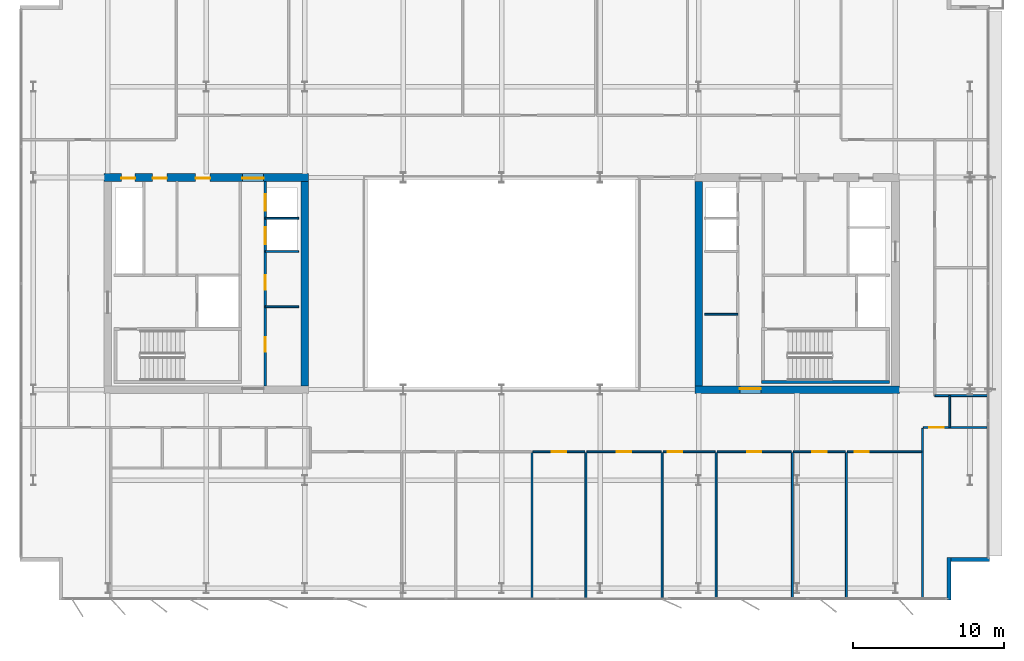
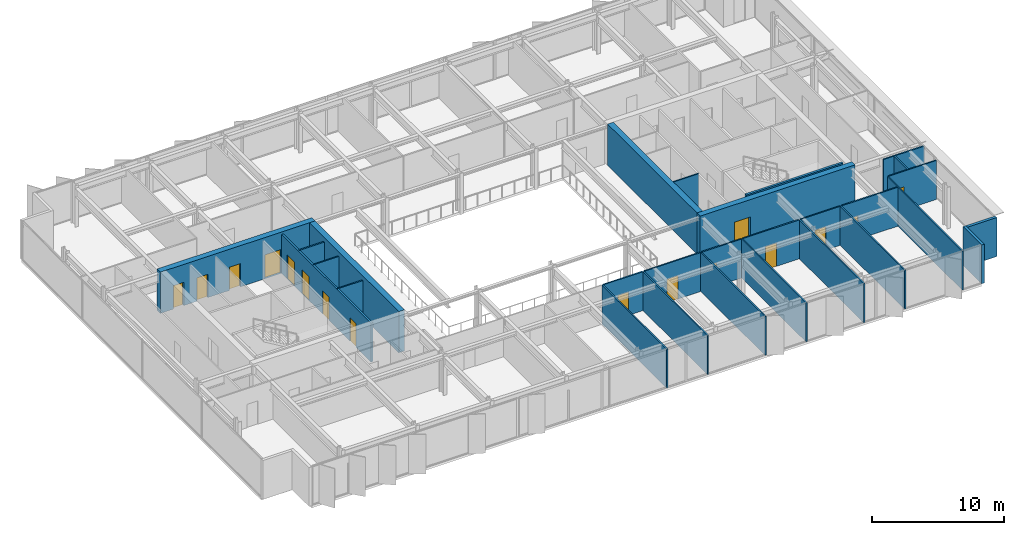
# One storey, part 13 of 19: 28 walls, 16 doors, 16 openings.
"""IFC4 building model written with IfcOpenShell, lengths in metres."""

from ifc_helpers import new_model, si_unit, direction, frame, frame_2d, origin, place, context, subcontext, project, spatial, rectangle, extrude, material, layer, layer_set, type_object, element, fill, save


model = new_model("IFC4")

# Units and contexts
model_context = context("Model", 3, precision=1e-05, world=origin(), true_north=direction((0.0, 1.0)))
body_context = subcontext(model_context, "Body", "Model", "MODEL_VIEW")
ifc_project = project(units=[si_unit("LENGTHUNIT", "METRE"), si_unit("AREAUNIT", "SQUARE_METRE"), si_unit("VOLUMEUNIT", "CUBIC_METRE"), si_unit("PLANEANGLEUNIT", "RADIAN"), si_unit("MASSUNIT", "GRAM", prefix="KILO")], contexts=[model_context])

# Site, building, storey
site_placement = place(None, origin())
site = spatial("IfcSite", under=ifc_project, at=site_placement, CompositionType="ELEMENT")
building_placement = place(site_placement, origin())
building = spatial("IfcBuilding", under=site, at=building_placement, Name="Putna Gate Headquarters", CompositionType="ELEMENT")
storey_placement = place(building_placement, frame((0.0, 0.0, 267.0)))
storey = spatial("IfcBuildingStorey", under=building, at=storey_placement, Name="L67", CompositionType="ELEMENT", Elevation=267.0)

# Wall, openings, doors
ifc_material_1 = material(Name="Concrete C50/60", Category="concrete")
ifc_layer_1 = layer(ifc_material_1, 0.5)
ifc_layer_set_1 = layer_set([ifc_layer_1], Name="Concrete C50/60")
wall_type_1 = type_object("IfcWallType", Name="WALL-CORE-500", PredefinedType="SHEAR", material=ifc_layer_set_1)
wall_1_placement = place(storey_placement, frame((12.75, 33.0, 0.0), z_axis=(0.0, 0.0, 1.0), x_axis=(1.0, 0.0, 0.0)))
wall_1 = element("IfcWall", 1, at=wall_1_placement, inside=storey, type_object=wall_type_1, Name="L67 WC Split Core Shear Wall N", PredefinedType="SHEAR", context=body_context, shape_type="SweptSolid", body=[
    extrude(rectangle(XDim=13.5, YDim=0.5, at=frame_2d((6.75, 0.0))), origin(), (0.0, 0.0, 1.0), 3.800048828125),
])
opening_1_placement = place(wall_1_placement, frame((1.14990234375, 0.0, 0.0)))
opening_1 = element("IfcOpeningElement", 2, at=opening_1_placement, cuts=wall_1, Name="Opening RD-90", PredefinedType="OPENING", context=body_context, shape_type="SweptSolid", body=[
    extrude(rectangle(XDim=0.89990234375, YDim=2.14990234375, at=frame_2d((0.449951171875, 1.074951171875))), frame((0.0, 0.260009765625, 0.0), z_axis=(0.0, -1.0, 0.0), x_axis=(1.0, 0.0, 0.0)), (0.0, 0.0, 1.0), 0.52001953125),
])
opening_2_placement = place(wall_1_placement, frame((3.199951171875, 0.0, 0.0)))
opening_2 = element("IfcOpeningElement", 3, at=opening_2_placement, cuts=wall_1, Name="Opening IDS-95", PredefinedType="OPENING", context=body_context, shape_type="SweptSolid", body=[
    extrude(rectangle(XDim=0.949951171875, YDim=2.14990234375, at=frame_2d((0.47509765625, 1.074951171875))), frame((0.0, 0.260009765625, 0.0), z_axis=(0.0, -1.0, 0.0), x_axis=(1.0, 0.0, 0.0)), (0.0, 0.0, 1.0), 0.52001953125),
])
opening_3_placement = place(wall_1_placement, frame((6.050048828125, 0.0, 0.0)))
opening_3 = element("IfcOpeningElement", 4, at=opening_3_placement, cuts=wall_1, Name="Opening IDS-95", PredefinedType="OPENING", context=body_context, shape_type="SweptSolid", body=[
    extrude(rectangle(XDim=0.949951171875, YDim=2.14990234375, at=frame_2d((0.47509765625, 1.074951171875))), frame((0.0, 0.260009765625, 0.0), z_axis=(0.0, -1.0, 0.0), x_axis=(1.0, 0.0, 0.0)), (0.0, 0.0, 1.0), 0.52001953125),
])
opening_4_placement = place(wall_1_placement, frame((9.1298828125, 0.0, 0.0)))
opening_4 = element("IfcOpeningElement", 5, at=opening_4_placement, cuts=wall_1, Name="Opening FDD-140", PredefinedType="OPENING", context=body_context, shape_type="SweptSolid", body=[
    extrude(rectangle(XDim=1.39990234375, YDim=2.199951171875, at=frame_2d((0.699951171875, 1.10009765625))), frame((0.0, 0.260009765625, 0.0), z_axis=(0.0, -1.0, 0.0), x_axis=(1.0, 0.0, 0.0)), (0.0, 0.0, 1.0), 0.52001953125),
])
ifc_material_2 = material(Name="Double steel fire door", Category="steel")
door_type_1 = type_object("IfcDoorType", Name="DOOR-FIRE-DBL-1400", OperationType="DOUBLE_DOOR_SINGLE_SWING", PredefinedType="DOOR", material=ifc_material_2)
door_1_placement = place(opening_4_placement, origin())
door_1 = element("IfcDoor", 6, at=door_1_placement, inside=storey, type_object=door_type_1, Name="L67 West Lift Lobby North Door", OperationType="DOUBLE_DOOR_SINGLE_SWING", OverallHeight=2.199951171875, OverallWidth=1.39990234375, PredefinedType="DOOR", context=body_context, shape_type="SweptSolid", body=[
    extrude(rectangle(XDim=1.39990234375, YDim=2.199951171875, at=frame_2d((0.699951171875, 1.10009765625))), frame((0.0, -0.02490234375, 0.0), z_axis=(0.0, -1.0, 0.0), x_axis=(1.0, 0.0, 0.0)), (0.0, 0.0, 1.0), 0.050048828125),
])
fill(opening_4, door_1)
ifc_material_3 = material(Name="Fire-rated service timber door", Category="wood")
door_type_2 = type_object("IfcDoorType", Name="DOOR-INT-950", OperationType="NOTDEFINED", PredefinedType="DOOR", material=ifc_material_3)
door_2_placement = place(opening_2_placement, origin())
door_2 = element("IfcDoor", 7, at=door_2_placement, inside=storey, type_object=door_type_2, Name="L67 Archive Store Door", OperationType="SINGLE_SWING_LEFT", OverallHeight=2.14990234375, OverallWidth=0.949951171875, PredefinedType="DOOR", context=body_context, shape_type="SweptSolid", body=[
    extrude(rectangle(XDim=0.949951171875, YDim=2.14990234375, at=frame_2d((0.47509765625, 1.074951171875))), frame((0.0, -0.02490234375, 0.0), z_axis=(0.0, -1.0, 0.0), x_axis=(1.0, 0.0, 0.0)), (0.0, 0.0, 1.0), 0.050048828125),
])
fill(opening_2, door_2)
door_3_placement = place(opening_3_placement, origin())
door_3 = element("IfcDoor", 8, at=door_3_placement, inside=storey, type_object=door_type_2, Name="L67 Switchgear Plant Door", OperationType="SINGLE_SWING_RIGHT", OverallHeight=2.14990234375, OverallWidth=0.949951171875, PredefinedType="DOOR", context=body_context, shape_type="SweptSolid", body=[
    extrude(rectangle(XDim=0.949951171875, YDim=2.14990234375, at=frame_2d((0.47509765625, 1.074951171875))), frame((0.0, -0.02490234375, 0.0), z_axis=(0.0, -1.0, 0.0), x_axis=(1.0, 0.0, 0.0)), (0.0, 0.0, 1.0), 0.050048828125),
])
fill(opening_3, door_3)
ifc_material_4 = material(Name="Steel riser access fire door", Category="steel")
door_type_3 = type_object("IfcDoorType", Name="DOOR-RISER-900", OperationType="NOTDEFINED", PredefinedType="DOOR", material=ifc_material_4)
door_4_placement = place(opening_1_placement, origin())
door_4 = element("IfcDoor", 9, at=door_4_placement, inside=storey, type_object=door_type_3, Name="L67 West Riser Access Door", OperationType="SINGLE_SWING_RIGHT", OverallHeight=2.14990234375, OverallWidth=0.89990234375, PredefinedType="DOOR", context=body_context, shape_type="SweptSolid", body=[
    extrude(rectangle(XDim=0.89990234375, YDim=2.14990234375, at=frame_2d((0.449951171875, 1.074951171875))), frame((0.0, -0.02490234375, 0.0), z_axis=(0.0, -1.0, 0.0), x_axis=(1.0, 0.0, 0.0)), (0.0, 0.0, 1.0), 0.050048828125),
])
fill(opening_1, door_4)

# Wall
wall_2_placement = place(storey_placement, frame((26.0, 19.25, 0.0), z_axis=(0.0, 0.0, 1.0), x_axis=(0.0, 1.0, 0.0)))
element("IfcWall", 10, at=wall_2_placement, inside=storey, type_object=wall_type_1, Name="L67 WC Split Core Shear Wall E", PredefinedType="SHEAR", context=body_context, shape_type="SweptSolid", body=[
    extrude(rectangle(XDim=13.5, YDim=0.5, at=frame_2d((6.75, 0.0))), origin(), (0.0, 0.0, 1.0), 3.800048828125),
])

# Wall, opening, door
wall_3_placement = place(storey_placement, frame((51.75, 19.0, 0.0), z_axis=(0.0, 0.0, 1.0), x_axis=(1.0, 0.0, 0.0)))
wall_3 = element("IfcWall", 11, at=wall_3_placement, inside=storey, type_object=wall_type_1, Name="L67 EC Split Core Shear Wall S", PredefinedType="SHEAR", context=body_context, shape_type="SweptSolid", body=[
    extrude(rectangle(XDim=13.5, YDim=0.5, at=frame_2d((6.75, 0.0))), origin(), (0.0, 0.0, 1.0), 3.800048828125),
])
opening_5_placement = place(wall_3_placement, frame((2.969970703125, 0.0, 0.0)))
opening_5 = element("IfcOpeningElement", 12, at=opening_5_placement, cuts=wall_3, Name="Opening FDD-140", PredefinedType="OPENING", context=body_context, shape_type="SweptSolid", body=[
    extrude(rectangle(XDim=1.39990234375, YDim=2.199951171875, at=frame_2d((0.699951171875, 1.10009765625))), frame((0.0, 0.260009765625, 0.0), z_axis=(0.0, -1.0, 0.0), x_axis=(1.0, 0.0, 0.0)), (0.0, 0.0, 1.0), 0.52001953125),
])
door_5_placement = place(opening_5_placement, origin())
door_5 = element("IfcDoor", 13, at=door_5_placement, inside=storey, type_object=door_type_1, Name="L67 East Lift Lobby South Door", OperationType="DOUBLE_DOOR_SINGLE_SWING", OverallHeight=2.199951171875, OverallWidth=1.39990234375, PredefinedType="DOOR", context=body_context, shape_type="SweptSolid", body=[
    extrude(rectangle(XDim=1.39990234375, YDim=2.199951171875, at=frame_2d((0.699951171875, 1.10009765625))), frame((0.0, 0.0751953125, 0.0), z_axis=(0.0, -1.0, 0.0), x_axis=(1.0, 0.0, 0.0)), (0.0, 0.0, 1.0), 0.050048828125),
])
fill(opening_5, door_5)

# Walls
wall_4_placement = place(storey_placement, frame((52.0, 19.25, 0.0), z_axis=(0.0, 0.0, 1.0), x_axis=(0.0, 1.0, 0.0)))
element("IfcWall", 14, at=wall_4_placement, inside=storey, type_object=wall_type_1, Name="L67 EC Split Core Shear Wall W", PredefinedType="SHEAR", context=body_context, shape_type="SweptSolid", body=[
    extrude(rectangle(XDim=13.5, YDim=0.5, at=frame_2d((6.75, 0.0))), origin(), (0.0, 0.0, 1.0), 3.800048828125),
])
ifc_material_5 = material(Name="Precast concrete C40/50", Category="concrete")
ifc_layer_2 = layer(ifc_material_5, 0.239990234375)
ifc_layer_set_2 = layer_set([ifc_layer_2], Name="Precast concrete C40/50")
wall_type_2 = type_object("IfcWallType", Name="WALL-EXT-TERR-240", PredefinedType="STANDARD", material=ifc_layer_set_2)
wall_5_placement = place(storey_placement, frame((68.534912109375, 7.89990234375, 0.0), z_axis=(0.0, 0.0, 1.0), x_axis=(0.0, -1.0, 0.0)))
element("IfcWall", 15, at=wall_5_placement, inside=storey, type_object=wall_type_2, Name="L67 Corner Notch Return Wall SE-V", PredefinedType="STANDARD", context=body_context, shape_type="SweptSolid", body=[
    extrude(rectangle(XDim=2.7998046875, YDim=0.239990234375, at=frame_2d((1.39990234375, 0.0))), origin(), (0.0, 0.0, 1.0), 3.587890625),
])
wall_6_placement = place(storey_placement, frame((71.215087890625, 7.780029296875, 0.0), z_axis=(0.0, 0.0, 1.0), x_axis=(-1.0, 0.0, 0.0)))
element("IfcWall", 16, at=wall_6_placement, inside=storey, type_object=wall_type_2, Name="L67 Corner Notch Return Wall SE-H", PredefinedType="STANDARD", context=body_context, shape_type="SweptSolid", body=[
    extrude(rectangle(XDim=2.800048828125, YDim=0.239990234375, at=frame_2d((1.39990234375, 0.0))), origin(), (0.0, 0.0, 1.0), 3.587890625),
])
ifc_material_6 = material(Name="Acoustic gypsum board on metal stud")
ifc_layer_3 = layer(ifc_material_6, 0.1201171875)
ifc_layer_set_3 = layer_set([ifc_layer_3], Name="Acoustic gypsum board on metal stud")
wall_type_3 = type_object("IfcWallType", Name="WALL-PART-120", PredefinedType="PARTITIONING", material=ifc_layer_set_3)
for number, where, z_axis, x_axis, name in (
    (17, (40.997314453125, 5.1201171875, 0.0), (0.0, 0.0, 1.0), (0.0, 1.0, 0.0), "L67 Interior Wall PART-L67-SB-DIV-04"),
    (18, (44.56201171875, 5.1201171875, 0.0), (0.0, 0.0, 1.0), (0.0, 1.0, 0.0), "L67 Interior Wall PART-L67-SB-DIV-05"),
    (19, (49.594482421875, 5.1201171875, 0.0), (0.0, 0.0, 1.0), (0.0, 1.0, 0.0), "L67 Interior Wall PART-L67-SB-DIV-06"),
    (20, (53.1591796875, 5.1201171875, 0.0), (0.0, 0.0, 1.0), (0.0, 1.0, 0.0), "L67 Interior Wall PART-L67-SB-DIV-07"),
    (21, (58.191650390625, 5.1201171875, 0.0), (0.0, 0.0, 1.0), (0.0, 1.0, 0.0), "L67 Interior Wall PART-L67-SB-DIV-08"),
    (22, (61.75634765625, 5.1201171875, 0.0), (0.0, 0.0, 1.0), (0.0, 1.0, 0.0), "L67 Interior Wall PART-L67-SB-DIV-09"),
):
    element("IfcWall", number, at=place(storey_placement, frame(where, z_axis=z_axis, x_axis=x_axis)), inside=storey, type_object=wall_type_3, Name=name, PredefinedType="PARTITIONING", context=body_context, shape_type="SweptSolid", body=[
        extrude(rectangle(XDim=9.719970703125, YDim=0.1201171875, at=frame_2d((4.85986328125, 0.0))), origin(), (0.0, 0.0, 1.0), 3.587890625),
    ])
wall_7_placement = place(storey_placement, frame((66.788818359375, 5.1201171875, 0.0), z_axis=(0.0, 0.0, 1.0), x_axis=(0.0, 1.0, 0.0)))
element("IfcWall", 23, at=wall_7_placement, inside=storey, type_object=wall_type_3, Name="L67 Interior Wall PART-L67-SB-DIV-10", PredefinedType="PARTITIONING", context=body_context, shape_type="SweptSolid", body=[
    extrude(rectangle(XDim=11.31982421875, YDim=0.1201171875, at=frame_2d((5.659912109375, 0.0))), origin(), (0.0, 0.0, 1.0), 3.587890625),
])
ifc_material_7 = material(Name="Fire-rated shaftwall gypsum board on metal stud")
ifc_layer_4 = layer(ifc_material_7, 0.1201171875)
ifc_layer_set_4 = layer_set([ifc_layer_4], Name="Fire-rated shaftwall gypsum board on metal stud")
wall_type_4 = type_object("IfcWallType", Name="WALL-PART-120-EI120", PredefinedType="PARTITIONING", material=ifc_layer_set_4)
wall_8_placement = place(storey_placement, frame((23.39990234375, 30.31005859375, 0.0), z_axis=(0.0, 0.0, 1.0), x_axis=(1.0, 0.0, 0.0)))
element("IfcWall", 24, at=wall_8_placement, inside=storey, type_object=wall_type_4, Name="L67 Interior Wall CWINT-L67-WC-LF09-DIV", PredefinedType="PARTITIONING", context=body_context, shape_type="SweptSolid", body=[
    extrude(rectangle(XDim=2.2001953125, YDim=0.1201171875, at=frame_2d((1.10009765625, 0.0))), origin(), (0.0, 0.0, 1.0), 3.587890625),
])
ifc_material_8 = material(Name="Fire-rated gypsum board on metal stud")
ifc_layer_5 = layer(ifc_material_8, 0.1201171875)
ifc_layer_set_5 = layer_set([ifc_layer_5], Name="Fire-rated gypsum board on metal stud")
wall_type_5 = type_object("IfcWallType", Name="WALL-PART-120-RATED", PredefinedType="PARTITIONING", material=ifc_layer_set_5)
for number, where, z_axis, x_axis, name in (
    (25, (23.39990234375, 24.469970703125, 0.0), (0.0, 0.0, 1.0), (1.0, 0.0, 0.0), "L67 Interior Wall CWINT-L67-WC-REUSE-DIV"),
    (26, (23.39990234375, 28.1201171875, 0.0), (0.0, 0.0, 1.0), (1.0, 0.0, 0.0), "L67 Interior Wall CWINT-L67-WC-LF06-DIV"),
    (27, (52.39990234375, 23.969970703125, 0.0), (0.0, 0.0, 1.0), (1.0, 0.0, 0.0), "L67 Interior Wall CWINT-L67-EC-REUSE-DIV"),
):
    element("IfcWall", number, at=place(storey_placement, frame(where, z_axis=z_axis, x_axis=x_axis)), inside=storey, type_object=wall_type_5, Name=name, PredefinedType="PARTITIONING", context=body_context, shape_type="SweptSolid", body=[
        extrude(rectangle(XDim=2.2001953125, YDim=0.1201171875, at=frame_2d((1.10009765625, 0.0))), origin(), (0.0, 0.0, 1.0), 3.587890625),
    ])
wall_9_placement = place(storey_placement, frame((68.5888671875, 16.5, 0.0), z_axis=(0.0, 0.0, 1.0), x_axis=(0.0, 1.0, 0.0)))
element("IfcWall", 28, at=wall_9_placement, inside=storey, type_object=wall_type_5, Name="L67 Interior Wall PART-L67-CORRS-CAPE", PredefinedType="PARTITIONING", context=body_context, shape_type="SweptSolid", body=[
    extrude(rectangle(XDim=2.10009765625, YDim=0.1201171875, at=frame_2d((1.050048828125, 0.0))), origin(), (0.0, 0.0, 1.0), 3.587890625),
])

# Wall, opening, door
wall_10_placement = place(storey_placement, frame((41.05712890625, 14.89990234375, 0.0), z_axis=(0.0, 0.0, 1.0), x_axis=(1.0, 0.0, 0.0)))
wall_10 = element("IfcWall", 29, at=wall_10_placement, inside=storey, type_object=wall_type_5, Name="L67 Interior Wall PART-L67-SB-CW-05", PredefinedType="PARTITIONING", context=body_context, shape_type="SweptSolid", body=[
    extrude(rectangle(XDim=3.44482421875, YDim=0.1201171875, at=frame_2d((1.722412109375, 0.0))), origin(), (0.0, 0.0, 1.0), 3.587890625),
])
opening_6_placement = place(wall_10_placement, frame((1.247314453125, 0.0, 0.0)))
opening_6 = element("IfcOpeningElement", 30, at=opening_6_placement, cuts=wall_10, Name="Opening FD-95", PredefinedType="OPENING", context=body_context, shape_type="SweptSolid", body=[
    extrude(rectangle(XDim=0.949951171875, YDim=2.14990234375, at=frame_2d((0.47509765625, 1.074951171875))), frame((0.0, 0.070068359375, 0.0), z_axis=(0.0, -1.0, 0.0), x_axis=(1.0, 0.0, 0.0)), (0.0, 0.0, 1.0), 0.14013671875),
])
ifc_material_9 = material(Name="Acoustic timber fire door", Category="wood")
door_type_4 = type_object("IfcDoorType", Name="DOOR-FIRE-950", OperationType="NOTDEFINED", PredefinedType="DOOR", material=ifc_material_9)
door_6_placement = place(opening_6_placement, origin())
door_6 = element("IfcDoor", 31, at=door_6_placement, inside=storey, type_object=door_type_4, Name="L67 Cellular Office 7 Door", OperationType="SINGLE_SWING_LEFT", OverallHeight=2.14990234375, OverallWidth=0.949951171875, PredefinedType="DOOR", context=body_context, shape_type="SweptSolid", body=[
    extrude(rectangle(XDim=0.949951171875, YDim=2.14990234375, at=frame_2d((0.47509765625, 1.074951171875))), frame((0.0, 0.02490234375, 0.0), z_axis=(0.0, -1.0, 0.0), x_axis=(1.0, 0.0, 0.0)), (0.0, 0.0, 1.0), 0.050048828125),
])
fill(opening_6, door_6)

wall_11_placement = place(storey_placement, frame((44.621826171875, 14.89990234375, 0.0), z_axis=(0.0, 0.0, 1.0), x_axis=(1.0, 0.0, 0.0)))
wall_11 = element("IfcWall", 32, at=wall_11_placement, inside=storey, type_object=wall_type_5, Name="L67 Interior Wall PART-L67-SB-CW-06", PredefinedType="PARTITIONING", context=body_context, shape_type="SweptSolid", body=[
    extrude(rectangle(XDim=4.91259765625, YDim=0.1201171875, at=frame_2d((2.456298828125, 0.0))), origin(), (0.0, 0.0, 1.0), 3.587890625),
])
opening_7_placement = place(wall_11_placement, frame((1.981201171875, 0.0, 0.0)))
opening_7 = element("IfcOpeningElement", 33, at=opening_7_placement, cuts=wall_11, Name="Opening FD-95", PredefinedType="OPENING", context=body_context, shape_type="SweptSolid", body=[
    extrude(rectangle(XDim=0.949951171875, YDim=2.14990234375, at=frame_2d((0.47509765625, 1.074951171875))), frame((0.0, 0.070068359375, 0.0), z_axis=(0.0, -1.0, 0.0), x_axis=(1.0, 0.0, 0.0)), (0.0, 0.0, 1.0), 0.14013671875),
])
door_7_placement = place(opening_7_placement, origin())
door_7 = element("IfcDoor", 34, at=door_7_placement, inside=storey, type_object=door_type_4, Name="L67 Conference Meeting Room 1 Door", OperationType="SINGLE_SWING_RIGHT", OverallHeight=2.14990234375, OverallWidth=0.949951171875, PredefinedType="DOOR", context=body_context, shape_type="SweptSolid", body=[
    extrude(rectangle(XDim=0.949951171875, YDim=2.14990234375, at=frame_2d((0.47509765625, 1.074951171875))), frame((0.0, 0.02490234375, 0.0), z_axis=(0.0, -1.0, 0.0), x_axis=(1.0, 0.0, 0.0)), (0.0, 0.0, 1.0), 0.050048828125),
])
fill(opening_7, door_7)

wall_12_placement = place(storey_placement, frame((49.654296875, 14.89990234375, 0.0), z_axis=(0.0, 0.0, 1.0), x_axis=(1.0, 0.0, 0.0)))
wall_12 = element("IfcWall", 35, at=wall_12_placement, inside=storey, type_object=wall_type_5, Name="L67 Interior Wall PART-L67-SB-CW-07", PredefinedType="PARTITIONING", context=body_context, shape_type="SweptSolid", body=[
    extrude(rectangle(XDim=3.44482421875, YDim=0.1201171875, at=frame_2d((1.722412109375, 0.0))), origin(), (0.0, 0.0, 1.0), 3.587890625),
])
opening_8_placement = place(wall_12_placement, frame((0.323974609375, 0.0, 0.0)))
opening_8 = element("IfcOpeningElement", 36, at=opening_8_placement, cuts=wall_12, Name="Opening FD-95", PredefinedType="OPENING", context=body_context, shape_type="SweptSolid", body=[
    extrude(rectangle(XDim=0.949951171875, YDim=2.14990234375, at=frame_2d((0.47509765625, 1.074951171875))), frame((0.0, 0.070068359375, 0.0), z_axis=(0.0, -1.0, 0.0), x_axis=(1.0, 0.0, 0.0)), (0.0, 0.0, 1.0), 0.14013671875),
])
door_8_placement = place(opening_8_placement, origin())
door_8 = element("IfcDoor", 37, at=door_8_placement, inside=storey, type_object=door_type_4, Name="L67 Conference Meeting Room 2 Door", OperationType="SINGLE_SWING_LEFT", OverallHeight=2.14990234375, OverallWidth=0.949951171875, PredefinedType="DOOR", context=body_context, shape_type="SweptSolid", body=[
    extrude(rectangle(XDim=0.949951171875, YDim=2.14990234375, at=frame_2d((0.47509765625, 1.074951171875))), frame((0.0, 0.02490234375, 0.0), z_axis=(0.0, -1.0, 0.0), x_axis=(1.0, 0.0, 0.0)), (0.0, 0.0, 1.0), 0.050048828125),
])
fill(opening_8, door_8)

wall_13_placement = place(storey_placement, frame((53.218994140625, 14.89990234375, 0.0), z_axis=(0.0, 0.0, 1.0), x_axis=(1.0, 0.0, 0.0)))
wall_13 = element("IfcWall", 38, at=wall_13_placement, inside=storey, type_object=wall_type_5, Name="L67 Interior Wall PART-L67-SB-CW-08", PredefinedType="PARTITIONING", context=body_context, shape_type="SweptSolid", body=[
    extrude(rectangle(XDim=4.91259765625, YDim=0.1201171875, at=frame_2d((2.456298828125, 0.0))), origin(), (0.0, 0.0, 1.0), 3.587890625),
])
opening_9_placement = place(wall_13_placement, frame((1.981201171875, 0.0, 0.0)))
opening_9 = element("IfcOpeningElement", 39, at=opening_9_placement, cuts=wall_13, Name="Opening FD-95", PredefinedType="OPENING", context=body_context, shape_type="SweptSolid", body=[
    extrude(rectangle(XDim=0.949951171875, YDim=2.14990234375, at=frame_2d((0.47509765625, 1.074951171875))), frame((0.0, 0.070068359375, 0.0), z_axis=(0.0, -1.0, 0.0), x_axis=(1.0, 0.0, 0.0)), (0.0, 0.0, 1.0), 0.14013671875),
])
door_9_placement = place(opening_9_placement, origin())
door_9 = element("IfcDoor", 40, at=door_9_placement, inside=storey, type_object=door_type_4, Name="L67 Conference Meeting Room 3 Door", OperationType="SINGLE_SWING_RIGHT", OverallHeight=2.14990234375, OverallWidth=0.949951171875, PredefinedType="DOOR", context=body_context, shape_type="SweptSolid", body=[
    extrude(rectangle(XDim=0.949951171875, YDim=2.14990234375, at=frame_2d((0.47509765625, 1.074951171875))), frame((0.0, 0.02490234375, 0.0), z_axis=(0.0, -1.0, 0.0), x_axis=(1.0, 0.0, 0.0)), (0.0, 0.0, 1.0), 0.050048828125),
])
fill(opening_9, door_9)

wall_14_placement = place(storey_placement, frame((58.251708984375, 14.89990234375, 0.0), z_axis=(0.0, 0.0, 1.0), x_axis=(1.0, 0.0, 0.0)))
wall_14 = element("IfcWall", 41, at=wall_14_placement, inside=storey, type_object=wall_type_5, Name="L67 Interior Wall PART-L67-SB-CW-09", PredefinedType="PARTITIONING", context=body_context, shape_type="SweptSolid", body=[
    extrude(rectangle(XDim=3.444580078125, YDim=0.1201171875, at=frame_2d((1.72216796875, 0.0))), origin(), (0.0, 0.0, 1.0), 3.587890625),
])
opening_10_placement = place(wall_14_placement, frame((1.247314453125, 0.0, 0.0)))
opening_10 = element("IfcOpeningElement", 42, at=opening_10_placement, cuts=wall_14, Name="Opening FD-95", PredefinedType="OPENING", context=body_context, shape_type="SweptSolid", body=[
    extrude(rectangle(XDim=0.949951171875, YDim=2.14990234375, at=frame_2d((0.47509765625, 1.074951171875))), frame((0.0, 0.070068359375, 0.0), z_axis=(0.0, -1.0, 0.0), x_axis=(1.0, 0.0, 0.0)), (0.0, 0.0, 1.0), 0.14013671875),
])
door_10_placement = place(opening_10_placement, origin())
door_10 = element("IfcDoor", 43, at=door_10_placement, inside=storey, type_object=door_type_4, Name="L67 Conference Meeting Room 4 Door", OperationType="SINGLE_SWING_LEFT", OverallHeight=2.14990234375, OverallWidth=0.949951171875, PredefinedType="DOOR", context=body_context, shape_type="SweptSolid", body=[
    extrude(rectangle(XDim=0.949951171875, YDim=2.14990234375, at=frame_2d((0.47509765625, 1.074951171875))), frame((0.0, 0.02490234375, 0.0), z_axis=(0.0, -1.0, 0.0), x_axis=(1.0, 0.0, 0.0)), (0.0, 0.0, 1.0), 0.050048828125),
])
fill(opening_10, door_10)

wall_15_placement = place(storey_placement, frame((61.81640625, 14.89990234375, 0.0), z_axis=(0.0, 0.0, 1.0), x_axis=(1.0, 0.0, 0.0)))
wall_15 = element("IfcWall", 44, at=wall_15_placement, inside=storey, type_object=wall_type_5, Name="L67 Interior Wall PART-L67-SB-CW-10", PredefinedType="PARTITIONING", context=body_context, shape_type="SweptSolid", body=[
    extrude(rectangle(XDim=4.912353515625, YDim=0.1201171875, at=frame_2d((2.4560546875, 0.0))), origin(), (0.0, 0.0, 1.0), 3.587890625),
])
opening_11_placement = place(wall_15_placement, frame((0.47998046875, 0.0, 0.0)))
opening_11 = element("IfcOpeningElement", 45, at=opening_11_placement, cuts=wall_15, Name="Opening FD-95", PredefinedType="OPENING", context=body_context, shape_type="SweptSolid", body=[
    extrude(rectangle(XDim=0.949951171875, YDim=2.14990234375, at=frame_2d((0.47509765625, 1.074951171875))), frame((0.0, 0.070068359375, 0.0), z_axis=(0.0, -1.0, 0.0), x_axis=(1.0, 0.0, 0.0)), (0.0, 0.0, 1.0), 0.14013671875),
])
door_11_placement = place(opening_11_placement, origin())
door_11 = element("IfcDoor", 46, at=door_11_placement, inside=storey, type_object=door_type_4, Name="L67 Collaborative Breakout Lounge 1 Door", OperationType="SINGLE_SWING_RIGHT", OverallHeight=2.14990234375, OverallWidth=0.949951171875, PredefinedType="DOOR", context=body_context, shape_type="SweptSolid", body=[
    extrude(rectangle(XDim=0.949951171875, YDim=2.14990234375, at=frame_2d((0.47509765625, 1.074951171875))), frame((0.0, 0.02490234375, 0.0), z_axis=(0.0, -1.0, 0.0), x_axis=(1.0, 0.0, 0.0)), (0.0, 0.0, 1.0), 0.050048828125),
])
fill(opening_11, door_11)

wall_16_placement = place(storey_placement, frame((66.848876953125, 16.5, 0.0), z_axis=(0.0, 0.0, 1.0), x_axis=(1.0, 0.0, 0.0)))
wall_16 = element("IfcWall", 47, at=wall_16_placement, inside=storey, type_object=wall_type_5, Name="L67 Interior Wall PART-L67-SB-CW-11", PredefinedType="PARTITIONING", context=body_context, shape_type="SweptSolid", body=[
    extrude(rectangle(XDim=4.18603515625, YDim=0.1201171875, at=frame_2d((2.093017578125, 0.0))), origin(), (0.0, 0.0, 1.0), 3.587890625),
])
opening_12_placement = place(wall_16_placement, frame((0.39501953125, 0.0, 0.0)))
opening_12 = element("IfcOpeningElement", 48, at=opening_12_placement, cuts=wall_16, Name="Opening FD-95", PredefinedType="OPENING", context=body_context, shape_type="SweptSolid", body=[
    extrude(rectangle(XDim=0.949951171875, YDim=2.14990234375, at=frame_2d((0.47509765625, 1.074951171875))), frame((0.0, 0.070068359375, 0.0), z_axis=(0.0, -1.0, 0.0), x_axis=(1.0, 0.0, 0.0)), (0.0, 0.0, 1.0), 0.14013671875),
])
door_12_placement = place(opening_12_placement, origin())
door_12 = element("IfcDoor", 49, at=door_12_placement, inside=storey, type_object=door_type_4, Name="L67 Quiet Wellness Focus Studio 2 Door", OperationType="SINGLE_SWING_LEFT", OverallHeight=2.14990234375, OverallWidth=0.949951171875, PredefinedType="DOOR", context=body_context, shape_type="SweptSolid", body=[
    extrude(rectangle(XDim=0.949951171875, YDim=2.14990234375, at=frame_2d((0.47509765625, 1.074951171875))), frame((0.0, 0.02490234375, 0.0), z_axis=(0.0, -1.0, 0.0), x_axis=(1.0, 0.0, 0.0)), (0.0, 0.0, 1.0), 0.050048828125),
])
fill(opening_12, door_12)

# Wall
wall_17_placement = place(storey_placement, frame((67.60009765625, 18.60009765625, 0.0), z_axis=(0.0, 0.0, 1.0), x_axis=(1.0, 0.0, 0.0)))
element("IfcWall", 50, at=wall_17_placement, inside=storey, type_object=wall_type_5, Name="L67 Interior Wall PART-L67-EW-S-BOUND", PredefinedType="PARTITIONING", context=body_context, shape_type="SweptSolid", body=[
    extrude(rectangle(XDim=3.594970703125, YDim=0.1201171875, at=frame_2d((1.79736328125, 0.0))), origin(), (0.0, 0.0, 1.0), 3.587890625),
])

# Wall, openings, doors
ifc_material_10 = material(Name="Concrete C40/50", Category="concrete")
ifc_layer_6 = layer(ifc_material_10, 0.159912109375)
ifc_layer_set_6 = layer_set([ifc_layer_6], Name="Concrete C40/50")
wall_type_6 = type_object("IfcWallType", Name="WALL-SHAFT-160", PredefinedType="STANDARD", material=ifc_layer_set_6)
wall_18_placement = place(storey_placement, frame((23.39990234375, 19.25, 0.0), z_axis=(0.0, 0.0, 1.0), x_axis=(0.0, 1.0, 0.0)))
wall_18 = element("IfcWall", 51, at=wall_18_placement, inside=storey, type_object=wall_type_6, Name="L67 Interior Wall CWINT-L67-WC-PL-WALL", PredefinedType="STANDARD", context=body_context, shape_type="SweptSolid", body=[
    extrude(rectangle(XDim=13.5, YDim=0.159912109375, at=frame_2d((6.75, 0.0))), origin(), (0.0, 0.0, 1.0), 3.587890625),
])
opening_13_placement = place(wall_18_placement, frame((2.25, 0.0, 0.0)))
opening_13 = element("IfcOpeningElement", 52, at=opening_13_placement, cuts=wall_18, Name="Opening IDS-95", PredefinedType="OPENING", context=body_context, shape_type="SweptSolid", body=[
    extrude(rectangle(XDim=0.949951171875, YDim=2.14990234375, at=frame_2d((0.47509765625, 1.074951171875))), frame((0.0, 0.08984375, 0.0), z_axis=(0.0, -1.0, 0.0), x_axis=(1.0, 0.0, 0.0)), (0.0, 0.0, 1.0), 0.179931640625),
])
opening_14_placement = place(wall_18_placement, frame((6.35009765625, 0.0, 0.0)))
opening_14 = element("IfcOpeningElement", 53, at=opening_14_placement, cuts=wall_18, Name="Opening IDS-95", PredefinedType="OPENING", context=body_context, shape_type="SweptSolid", body=[
    extrude(rectangle(XDim=0.949951171875, YDim=2.14990234375, at=frame_2d((0.47509765625, 1.074951171875))), frame((0.0, 0.08984375, 0.0), z_axis=(0.0, -1.0, 0.0), x_axis=(1.0, 0.0, 0.0)), (0.0, 0.0, 1.0), 0.179931640625),
])
opening_15_placement = place(wall_18_placement, frame((9.35009765625, 0.0, 0.0)))
opening_15 = element("IfcOpeningElement", 54, at=opening_15_placement, cuts=wall_18, Name="Opening LD-1", PredefinedType="OPENING", context=body_context, shape_type="SweptSolid", body=[
    extrude(rectangle(XDim=1.10009765625, YDim=2.199951171875, at=frame_2d((0.550048828125, 1.10009765625))), frame((0.0, 0.08984375, 0.0), z_axis=(0.0, -1.0, 0.0), x_axis=(1.0, 0.0, 0.0)), (0.0, 0.0, 1.0), 0.179931640625),
])
opening_16_placement = place(wall_18_placement, frame((11.550048828125, 0.0, 0.0)))
opening_16 = element("IfcOpeningElement", 55, at=opening_16_placement, cuts=wall_18, Name="Opening LD-1", PredefinedType="OPENING", context=body_context, shape_type="SweptSolid", body=[
    extrude(rectangle(XDim=1.10009765625, YDim=2.199951171875, at=frame_2d((0.550048828125, 1.10009765625))), frame((0.0, 0.08984375, 0.0), z_axis=(0.0, -1.0, 0.0), x_axis=(1.0, 0.0, 0.0)), (0.0, 0.0, 1.0), 0.179931640625),
])
door_13_placement = place(opening_13_placement, origin())
door_13 = element("IfcDoor", 56, at=door_13_placement, inside=storey, type_object=door_type_2, Name="L67 Tenant IT Hub Door", OperationType="SINGLE_SWING_LEFT", OverallHeight=2.14990234375, OverallWidth=0.949951171875, PredefinedType="DOOR", context=body_context, shape_type="SweptSolid", body=[
    extrude(rectangle(XDim=0.949951171875, YDim=2.14990234375, at=frame_2d((0.47509765625, 1.074951171875))), frame((0.0, 0.02490234375, 0.0), z_axis=(0.0, -1.0, 0.0), x_axis=(1.0, 0.0, 0.0)), (0.0, 0.0, 1.0), 0.050048828125),
])
fill(opening_13, door_13)
door_14_placement = place(opening_14_placement, origin())
door_14 = element("IfcDoor", 57, at=door_14_placement, inside=storey, type_object=door_type_2, Name="L67 Records Vault Door", OperationType="SINGLE_SWING_RIGHT", OverallHeight=2.14990234375, OverallWidth=0.949951171875, PredefinedType="DOOR", context=body_context, shape_type="SweptSolid", body=[
    extrude(rectangle(XDim=0.949951171875, YDim=2.14990234375, at=frame_2d((0.47509765625, 1.074951171875))), frame((0.0, 0.02490234375, 0.0), z_axis=(0.0, -1.0, 0.0), x_axis=(1.0, 0.0, 0.0)), (0.0, 0.0, 1.0), 0.050048828125),
])
fill(opening_14, door_14)
ifc_material_11 = material(Name="Brushed bronze stainless lift landing door")
door_type_5 = type_object("IfcDoorType", Name="DOOR-LIFT-1100", OperationType="DOUBLE_DOOR_SLIDING", PredefinedType="DOOR", material=ifc_material_11)
door_15_placement = place(opening_15_placement, origin())
door_15 = element("IfcDoor", 58, at=door_15_placement, inside=storey, type_object=door_type_5, Name="L67 Lift Landing Door LD-09", OperationType="DOUBLE_DOOR_SLIDING", OverallHeight=2.199951171875, OverallWidth=1.10009765625, PredefinedType="DOOR", context=body_context, shape_type="SweptSolid", body=[
    extrude(rectangle(XDim=1.10009765625, YDim=2.199951171875, at=frame_2d((0.550048828125, 1.10009765625))), frame((0.0, 0.02490234375, 0.0), z_axis=(0.0, -1.0, 0.0), x_axis=(1.0, 0.0, 0.0)), (0.0, 0.0, 1.0), 0.050048828125),
])
fill(opening_15, door_15)
door_16_placement = place(opening_16_placement, origin())
door_16 = element("IfcDoor", 59, at=door_16_placement, inside=storey, type_object=door_type_5, Name="L67 Lift Landing Door LD-10", OperationType="DOUBLE_DOOR_SLIDING", OverallHeight=2.199951171875, OverallWidth=1.10009765625, PredefinedType="DOOR", context=body_context, shape_type="SweptSolid", body=[
    extrude(rectangle(XDim=1.10009765625, YDim=2.199951171875, at=frame_2d((0.550048828125, 1.10009765625))), frame((0.0, 0.02490234375, 0.0), z_axis=(0.0, -1.0, 0.0), x_axis=(1.0, 0.0, 0.0)), (0.0, 0.0, 1.0), 0.050048828125),
])
fill(opening_16, door_16)

# Wall
ifc_layer_7 = layer(ifc_material_10, 0.199951171875)
ifc_layer_set_7 = layer_set([ifc_layer_7], Name="Concrete C40/50")
wall_type_7 = type_object("IfcWallType", Name="WALL-SHAFT-RC200", PredefinedType="SHEAR", material=ifc_layer_set_7)
wall_19_placement = place(storey_placement, frame((56.159912109375, 19.510009765625, 0.0), z_axis=(0.0, 0.0, 1.0), x_axis=(1.0, 0.0, 0.0)))
element("IfcWall", 60, at=wall_19_placement, inside=storey, type_object=wall_type_7, Name="L67 Stair ST2 Structural Shaft Wall S", PredefinedType="SHEAR", context=body_context, shape_type="SweptSolid", body=[
    extrude(rectangle(XDim=8.43017578125, YDim=0.199951171875, at=frame_2d((4.215087890625, 0.0))), origin(), (0.0, 0.0, 1.0), 3.800048828125),
])

save(model, "model.ifc")
